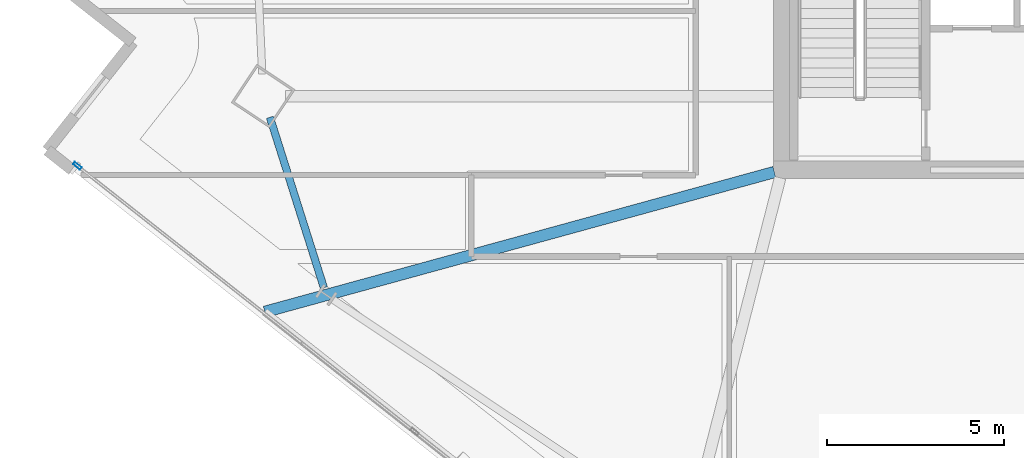
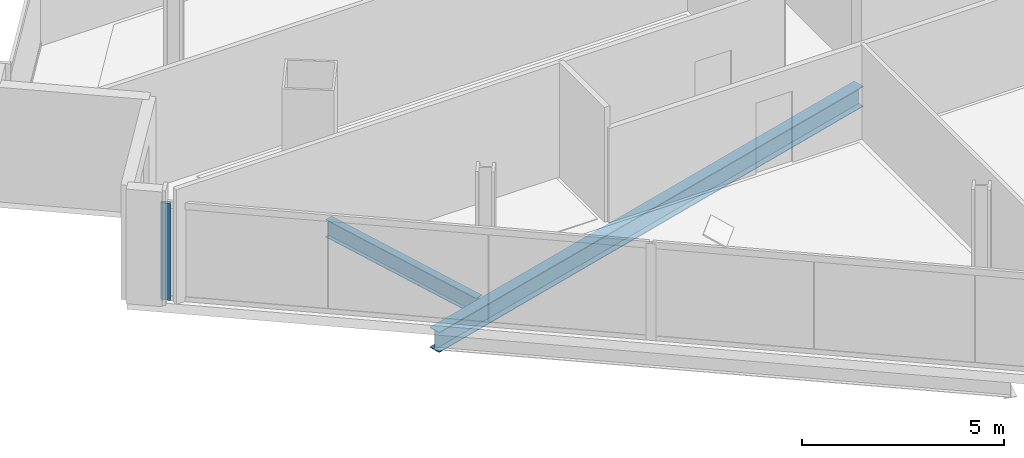
# One storey, part 5 of 28: 2 beams, 1 member, 1 element without a shape of its own.
"""IFC4 building model written with IfcOpenShell, lengths in metres."""

from ifc_helpers import new_model, si_unit, direction, frame, origin, origin_2d, place, context, subcontext, project, spatial, hollow_rectangle, i_section, extrude, material, material_profile, profile_set, type_object, element, aggregate, save


model = new_model("IFC4")

# Units and contexts
model_context = context("Model", 3, precision=1e-05, world=origin(), true_north=direction((0.0, 1.0)))
body_context = subcontext(model_context, "Body", "Model", "MODEL_VIEW")
ifc_project = project(units=[si_unit("LENGTHUNIT", "METRE"), si_unit("AREAUNIT", "SQUARE_METRE"), si_unit("VOLUMEUNIT", "CUBIC_METRE"), si_unit("PLANEANGLEUNIT", "RADIAN"), si_unit("MASSUNIT", "GRAM", prefix="KILO")], contexts=[model_context])

# Site, building, storey
site_placement = place(None, origin())
site = spatial("IfcSite", under=ifc_project, at=site_placement, CompositionType="ELEMENT")
building_placement = place(site_placement, origin())
building = spatial("IfcBuilding", under=site, at=building_placement, Name="Haldenkirk Collegiate Tower", CompositionType="ELEMENT")
storey_placement = place(building_placement, frame((0.0, 0.0, 202.199951171875)))
storey = spatial("IfcBuildingStorey", under=building, at=storey_placement, Name="L50", CompositionType="ELEMENT", Elevation=202.199951171875)

# Beams
ifc_material_1 = material(Name="Steel ASTM A992 Grade 50", Category="steel")
ifc_material_profile_1 = material_profile(ifc_material_1, i_section(OverallWidth=0.324951171875, OverallDepth=0.615966796875, WebThickness=0.013916015625, FlangeThickness=0.021484375, at=origin_2d()), Name="W24X117")
ifc_profile_set_1 = profile_set([ifc_material_profile_1], Name="Steel ASTM A992 Grade 50")
beam_type_1 = type_object("IfcBeamType", Name="BM-GIRDER-W24X117", PredefinedType="BEAM", material=ifc_profile_set_1)
beam_1_placement = place(storey_placement, frame((12.35107421875, 13.980712890625, -0.587890625), z_axis=(0.964358977006, 0.264597361038, 0.0), x_axis=(-0.264597361038, 0.964358977006, 0.0)))
element("IfcBeam", 1, at=beam_1_placement, inside=storey, type_object=beam_type_1, Name="L50 primary floor girder 14", PredefinedType="BEAM", context=body_context, shape_type="SweptSolid", body=[
    extrude(i_section(OverallWidth=0.324951171875, OverallDepth=0.615966796875, WebThickness=0.013916015625, FlangeThickness=0.021484375, at=origin_2d()), origin(), (0.0, 0.0, 1.0), 14.96044921875),
])
ifc_material_profile_2 = material_profile(ifc_material_1, i_section(OverallWidth=0.2099609375, OverallDepth=0.537109375, WebThickness=0.010986328125, FlangeThickness=0.017333984375, at=origin_2d()), Name="W21X68")
ifc_profile_set_2 = profile_set([ifc_material_profile_2], Name="Steel ASTM A992 Grade 50")
beam_type_2 = type_object("IfcBeamType", Name="BM-SPANDREL-W21X68", PredefinedType="SPANDREL", material=ifc_profile_set_2)
beam_2_placement = place(storey_placement, frame((12.494873046875, 19.489013671875, -0.54833984375), z_axis=(0.301937009704, -0.95332787758, 0.0), x_axis=(0.95332787758, 0.301937009704, 0.0)))
element("IfcBeam", 2, at=beam_2_placement, inside=storey, type_object=beam_type_2, Name="L50 perimeter spandrel beam 13", PredefinedType="SPANDREL", context=body_context, shape_type="SweptSolid", body=[
    extrude(i_section(OverallWidth=0.2099609375, OverallDepth=0.537109375, WebThickness=0.010986328125, FlangeThickness=0.017333984375, at=origin_2d()), origin(), (0.0, 0.0, 1.0), 5.060791015625),
])

# Curtain wall, member
ifc_material_2 = material(Name="Anodised architectural bronze aluminium", Category="aluminium")
curtain_wall_type = type_object("IfcCurtainWallType", Name="CW-SYS1B-CONVEX-HI", PredefinedType="USERDEFINED", material=ifc_material_2)
curtain_wall_placement = place(storey_placement, origin())
curtain_wall = element("IfcCurtainWall", 3, at=curtain_wall_placement, inside=storey, type_object=curtain_wall_type, Name="L50 Upper tower high-wind convex bronze unitised curtain wall", ObjectType="UNITISED CURTAIN WALL", PredefinedType="USERDEFINED")
ifc_material_profile_3 = material_profile(ifc_material_2, hollow_rectangle(XDim=0.0849609375, YDim=0.25, WallThickness=0.0048828125, at=origin_2d()), Name="CW-MUL-1B")
ifc_profile_set_3 = profile_set([ifc_material_profile_3], Name="Anodised architectural bronze aluminium")
member_type = type_object("IfcMemberType", Name="CW-MUL-1B", PredefinedType="MULLION", material=ifc_profile_set_3)
member_placement = place(storey_placement, frame((7.043701171875, 18.11376953125, 0.0), z_axis=(0.0, 0.0, 1.0), x_axis=(-0.619094623814, -0.785316399144, 0.0)))
member = element("IfcMember", 4, at=member_placement, type_object=member_type, Name="CW-1B mullion 4", PredefinedType="MULLION", context=body_context, shape_type="SweptSolid", body=[
    extrude(hollow_rectangle(XDim=0.0849609375, YDim=0.25, WallThickness=0.0048828125, at=origin_2d()), origin(), (0.0, 0.0, 1.0), 2.927978515625),
])
aggregate(curtain_wall, [member])

save(model, "model.ifc")
